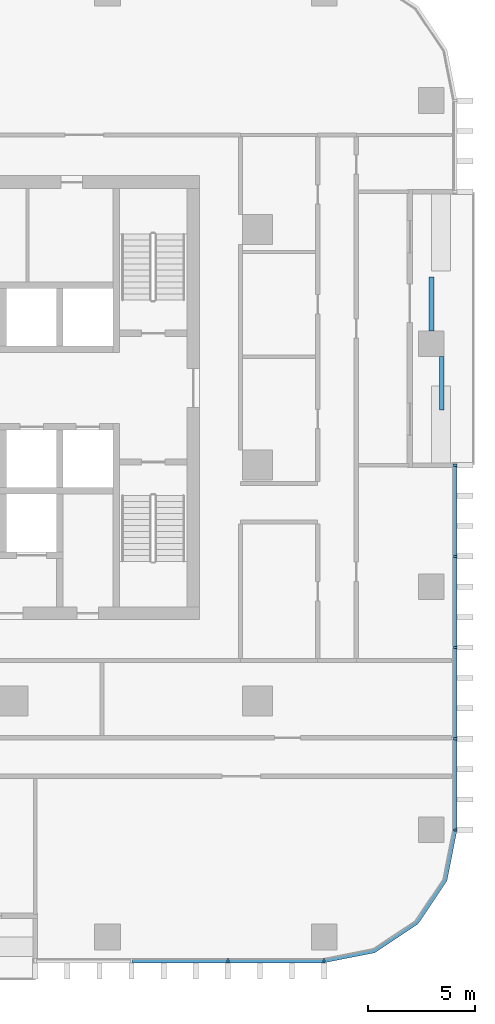
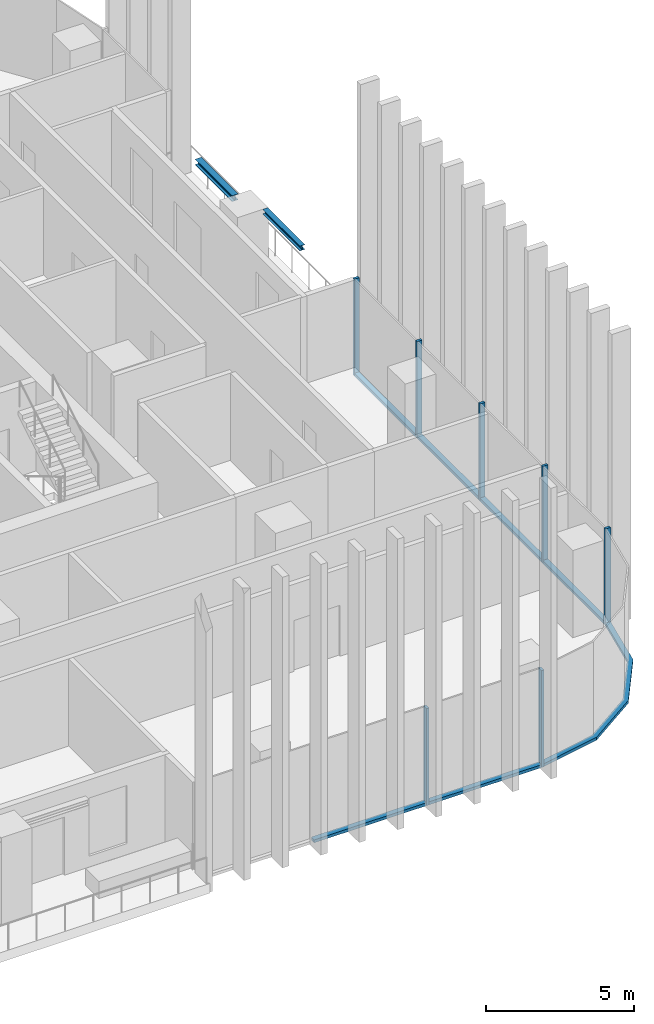
# One storey, part 3 of 15: 14 members, 2 beams, 3 elements without a shape of their own.
"""IFC4 building model written with IfcOpenShell, lengths in metres."""

from ifc_helpers import new_model, si_unit, direction, frame, origin, origin_2d, place, context, subcontext, project, spatial, polyline, rectangle, i_section, outline, extrude, material, material_profile, profile_set, type_object, element, aggregate, save


model = new_model("IFC4")

# Units and contexts
model_context = context("Model", 3, precision=1e-05, world=origin(), true_north=direction((0.0, 1.0)))
body_context = subcontext(model_context, "Body", "Model", "MODEL_VIEW")
ifc_project = project(units=[si_unit("LENGTHUNIT", "METRE"), si_unit("AREAUNIT", "SQUARE_METRE"), si_unit("VOLUMEUNIT", "CUBIC_METRE"), si_unit("PLANEANGLEUNIT", "RADIAN"), si_unit("MASSUNIT", "GRAM", prefix="KILO")], contexts=[model_context])

# Site, building, storey
site_placement = place(None, origin())
site = spatial("IfcSite", under=ifc_project, at=site_placement, CompositionType="ELEMENT")
building_placement = place(site_placement, origin())
building = spatial("IfcBuilding", under=site, at=building_placement, Name="Mopane Tessera Tower", CompositionType="ELEMENT")
storey_placement = place(building_placement, frame((0.0, 0.0, 169.0)))
storey = spatial("IfcBuildingStorey", under=building, at=storey_placement, Name="L34", CompositionType="ELEMENT", Elevation=169.0)

# Curtain wall, members
ifc_material_1 = material(Name="Aluminium frame", Category="aluminium")
curtain_wall_type = type_object("IfcCurtainWallType", Name="Unitised curtain wall", PredefinedType="NOTDEFINED", material=ifc_material_1)
curtain_wall_1_placement = place(storey_placement, origin())
curtain_wall_1 = element("IfcCurtainWall", 1, at=curtain_wall_1_placement, inside=storey, type_object=curtain_wall_type, Name="e:cw:L34:S:6", PredefinedType="NOTDEFINED")
ifc_material_2 = material(Name="Aluminium frame", Category="aluminium")
ifc_material_profile_1 = material_profile(ifc_material_2, rectangle(XDim=0.10009765625, YDim=0.199951171875, at=origin_2d()))
ifc_profile_set_1 = profile_set([ifc_material_profile_1], Name="Aluminium frame")
member_type_1 = type_object("IfcMemberType", Name="Aluminium mullion 100 x 200", PredefinedType="MULLION", material=ifc_profile_set_1)
member_1_placement = place(storey_placement, frame((15.711181640625, -23.10009765625, -0.39990234375), z_axis=(0.0, 0.0, 1.0), x_axis=(1.0, 0.0, 0.0)))
member_1 = element("IfcMember", 2, at=member_1_placement, type_object=member_type_1, Name="e:cw:L34:S:6:mu8", PredefinedType="MULLION", context=body_context, shape_type="SweptSolid", body=[
    extrude(rectangle(XDim=0.10009765625, YDim=0.199951171875, at=origin_2d()), origin(), (0.0, 0.0, 1.0), 4.0),
])
member_2_placement = place(storey_placement, frame((20.199951171875, -23.10009765625, -0.39990234375), z_axis=(0.0, 0.0, 1.0), x_axis=(1.0, 0.0, 0.0)))
member_2 = element("IfcMember", 3, at=member_2_placement, type_object=member_type_1, Name="e:cw:L34:S:6:mu9", PredefinedType="MULLION", context=body_context, shape_type="SweptSolid", body=[
    extrude(rectangle(XDim=0.10009765625, YDim=0.199951171875, at=origin_2d()), origin(), (0.0, 0.0, 1.0), 4.0),
])

curtain_wall_2_placement = place(storey_placement, origin())
curtain_wall_2 = element("IfcCurtainWall", 4, at=curtain_wall_2_placement, inside=storey, type_object=curtain_wall_type, Name="e:cw:L34:E:0", PredefinedType="NOTDEFINED")
member_3_placement = place(storey_placement, frame((26.300048828125, -17.0, -0.39990234375), z_axis=(0.0, 0.0, 1.0), x_axis=(0.0, 1.0, 0.0)))
member_3 = element("IfcMember", 5, at=member_3_placement, type_object=member_type_1, Name="e:cw:L34:E:0:mu0", PredefinedType="MULLION", context=body_context, shape_type="SweptSolid", body=[
    extrude(rectangle(XDim=0.10009765625, YDim=0.199951171875, at=origin_2d()), origin(), (0.0, 0.0, 1.0), 4.0),
])
member_4_placement = place(storey_placement, frame((26.300048828125, -12.75, -0.39990234375), z_axis=(0.0, 0.0, 1.0), x_axis=(0.0, 1.0, 0.0)))
member_4 = element("IfcMember", 6, at=member_4_placement, type_object=member_type_1, Name="e:cw:L34:E:0:mu1", PredefinedType="MULLION", context=body_context, shape_type="SweptSolid", body=[
    extrude(rectangle(XDim=0.10009765625, YDim=0.199951171875, at=origin_2d()), origin(), (0.0, 0.0, 1.0), 4.0),
])
member_5_placement = place(storey_placement, frame((26.300048828125, -8.5, -0.39990234375), z_axis=(0.0, 0.0, 1.0), x_axis=(0.0, 1.0, 0.0)))
member_5 = element("IfcMember", 7, at=member_5_placement, type_object=member_type_1, Name="e:cw:L34:E:0:mu2", PredefinedType="MULLION", context=body_context, shape_type="SweptSolid", body=[
    extrude(rectangle(XDim=0.10009765625, YDim=0.199951171875, at=origin_2d()), origin(), (0.0, 0.0, 1.0), 4.0),
])
member_6_placement = place(storey_placement, frame((26.300048828125, -4.25, -0.39990234375), z_axis=(0.0, 0.0, 1.0), x_axis=(0.0, 1.0, 0.0)))
member_6 = element("IfcMember", 8, at=member_6_placement, type_object=member_type_1, Name="e:cw:L34:E:0:mu3", PredefinedType="MULLION", context=body_context, shape_type="SweptSolid", body=[
    extrude(rectangle(XDim=0.10009765625, YDim=0.199951171875, at=origin_2d()), origin(), (0.0, 0.0, 1.0), 4.0),
])
member_7_placement = place(storey_placement, frame((26.300048828125, 0.0, -0.39990234375), z_axis=(0.0, 0.0, 1.0), x_axis=(0.0, 1.0, 0.0)))
member_7 = element("IfcMember", 9, at=member_7_placement, type_object=member_type_1, Name="e:cw:L34:E:0:mu4", PredefinedType="MULLION", context=body_context, shape_type="SweptSolid", body=[
    extrude(rectangle(XDim=0.10009765625, YDim=0.199951171875, at=origin_2d()), origin(), (0.0, 0.0, 1.0), 4.0),
])

# Member
ifc_material_3 = material(Name="Aluminium frame", Category="aluminium")
ifc_material_profile_2 = material_profile(ifc_material_3, rectangle(XDim=0.199951171875, YDim=0.1201171875, at=origin_2d()))
ifc_profile_set_2 = profile_set([ifc_material_profile_2], Name="Aluminium frame")
member_type_2 = type_object("IfcMemberType", Name="Aluminium transom 200 x 120", PredefinedType="USERDEFINED", material=ifc_profile_set_2)
member_8_placement = place(storey_placement, frame((11.272216796875, -23.10009765625, -0.340087890625), z_axis=(1.0, 0.0, 0.0), x_axis=(0.0, 1.0, 0.0)))
member_8 = element("IfcMember", 10, at=member_8_placement, type_object=member_type_2, Name="e:cw:L34:S:6:tr7", ObjectType="TRANSOM", PredefinedType="USERDEFINED", context=body_context, shape_type="SweptSolid", body=[
    extrude(rectangle(XDim=0.199951171875, YDim=0.1201171875, at=origin_2d()), origin(), (0.0, 0.0, 1.0), 4.388916015625),
])

member_9_placement = place(storey_placement, frame((15.76123046875, -23.10009765625, -0.340087890625), z_axis=(1.0, 0.0, 0.0), x_axis=(0.0, 1.0, 0.0)))
member_9 = element("IfcMember", 11, at=member_9_placement, type_object=member_type_2, Name="e:cw:L34:S:6:tr8", ObjectType="TRANSOM", PredefinedType="USERDEFINED", context=body_context, shape_type="SweptSolid", body=[
    extrude(rectangle(XDim=0.199951171875, YDim=0.1201171875, at=origin_2d()), origin(), (0.0, 0.0, 1.0), 4.388671875),
])

aggregate(curtain_wall_1, [member_1, member_2, member_8, member_9])

# Curtain wall, member
curtain_wall_3_placement = place(storey_placement, origin())
curtain_wall_3 = element("IfcCurtainWall", 12, at=curtain_wall_3_placement, inside=storey, type_object=curtain_wall_type, Name="e:cw:L34:CS", PredefinedType="NOTDEFINED")
member_10_placement = place(storey_placement, frame((0.0, 0.0, -0.39990234375)))
member_10 = element("IfcMember", 13, at=member_10_placement, type_object=member_type_2, Name="e:cw:L34:CS:tr", ObjectType="TRANSOM", PredefinedType="USERDEFINED", context=body_context, shape_type="SweptSolid", body=[
    extrude(outline(polyline([(20.199951171875, -23.0), (22.49609375, -22.543212890625), (24.442626953125, -21.24267578125), (25.7431640625, -19.296142578125), (26.199951171875, -17.0), (26.39990234375, -17.0), (25.927978515625, -19.37255859375), (24.583984375, -21.384033203125), (22.57275390625, -22.72802734375), (20.199951171875, -23.199951171875), (20.199951171875, -23.0)])), origin(), (0.0, 0.0, 1.0), 0.119873046875),
])
aggregate(curtain_wall_3, [member_10])

# Member
member_11_placement = place(storey_placement, frame((26.300048828125, -16.949951171875, -0.340087890625), z_axis=(0.0, 1.0, 0.0), x_axis=(-1.0, 0.0, 0.0)))
member_11 = element("IfcMember", 14, at=member_11_placement, type_object=member_type_2, Name="e:cw:L34:E:0:tr0", ObjectType="TRANSOM", PredefinedType="USERDEFINED", context=body_context, shape_type="SweptSolid", body=[
    extrude(rectangle(XDim=0.199951171875, YDim=0.1201171875, at=origin_2d()), origin(), (0.0, 0.0, 1.0), 4.14990234375),
])

member_12_placement = place(storey_placement, frame((26.300048828125, -12.699951171875, -0.340087890625), z_axis=(0.0, 1.0, 0.0), x_axis=(-1.0, 0.0, 0.0)))
member_12 = element("IfcMember", 15, at=member_12_placement, type_object=member_type_2, Name="e:cw:L34:E:0:tr1", ObjectType="TRANSOM", PredefinedType="USERDEFINED", context=body_context, shape_type="SweptSolid", body=[
    extrude(rectangle(XDim=0.199951171875, YDim=0.1201171875, at=origin_2d()), origin(), (0.0, 0.0, 1.0), 4.14990234375),
])

member_13_placement = place(storey_placement, frame((26.300048828125, -8.449951171875, -0.340087890625), z_axis=(0.0, 1.0, 0.0), x_axis=(-1.0, 0.0, 0.0)))
member_13 = element("IfcMember", 16, at=member_13_placement, type_object=member_type_2, Name="e:cw:L34:E:0:tr2", ObjectType="TRANSOM", PredefinedType="USERDEFINED", context=body_context, shape_type="SweptSolid", body=[
    extrude(rectangle(XDim=0.199951171875, YDim=0.1201171875, at=origin_2d()), origin(), (0.0, 0.0, 1.0), 4.14990234375),
])

member_14_placement = place(storey_placement, frame((26.300048828125, -4.199951171875, -0.340087890625), z_axis=(0.0, 1.0, 0.0), x_axis=(-1.0, 0.0, 0.0)))
member_14 = element("IfcMember", 17, at=member_14_placement, type_object=member_type_2, Name="e:cw:L34:E:0:tr3", ObjectType="TRANSOM", PredefinedType="USERDEFINED", context=body_context, shape_type="SweptSolid", body=[
    extrude(rectangle(XDim=0.199951171875, YDim=0.1201171875, at=origin_2d()), origin(), (0.0, 0.0, 1.0), 4.14990234375),
])

aggregate(curtain_wall_2, [member_3, member_4, member_5, member_6, member_7, member_11, member_12, member_13, member_14])

# Beams
ifc_material_4 = material(Name="Structural steel S460", Category="steel")
ifc_material_profile_3 = material_profile(ifc_material_4, i_section(OverallWidth=0.239990234375, OverallDepth=0.239990234375, WebThickness=0.010009765625, FlangeThickness=0.01708984375, FilletRadius=0.02099609375, at=origin_2d()))
ifc_profile_set_3 = profile_set([ifc_material_profile_3], Name="Structural steel S460")
beam_type_1 = type_object("IfcBeamType", Name="Terrace spandrel beam HE 240 B", PredefinedType="SPANDREL", material=ifc_profile_set_3)
beam_1_placement = place(storey_placement, frame((25.199951171875, 6.269775390625, 3.47998046875), z_axis=(0.0, 1.0, 0.0), x_axis=(-1.0, 0.0, 0.0)))
element("IfcBeam", 18, at=beam_1_placement, inside=storey, type_object=beam_type_1, Name="Terrace spandrel beam N3 L35", PredefinedType="SPANDREL", context=body_context, shape_type="SweptSolid", body=[
    extrude(i_section(OverallWidth=0.239990234375, OverallDepth=0.239990234375, WebThickness=0.010009765625, FlangeThickness=0.01708984375, FilletRadius=0.02099609375, at=origin_2d()), origin(), (0.0, 0.0, 1.0), 2.5),
])
ifc_material_5 = material(Name="Structural steel S460", Category="steel")
ifc_material_profile_4 = material_profile(ifc_material_5, i_section(OverallWidth=0.199951171875, OverallDepth=0.199951171875, WebThickness=0.009033203125, FlangeThickness=0.014892578125, FilletRadius=0.01806640625, at=origin_2d()))
ifc_profile_set_4 = profile_set([ifc_material_profile_4], Name="Structural steel S460")
beam_type_2 = type_object("IfcBeamType", Name="Terrace trimmer beam HE 200 B", PredefinedType="BEAM", material=ifc_profile_set_4)
beam_2_placement = place(storey_placement, frame((25.679931640625, 5.063720703125, 3.5), z_axis=(0.0, -1.0, 0.0), x_axis=(1.0, 0.0, 0.0)))
element("IfcBeam", 19, at=beam_2_placement, inside=storey, type_object=beam_type_2, Name="Terrace trimmer beam N3 L35", PredefinedType="BEAM", context=body_context, shape_type="SweptSolid", body=[
    extrude(i_section(OverallWidth=0.199951171875, OverallDepth=0.199951171875, WebThickness=0.009033203125, FlangeThickness=0.014892578125, FilletRadius=0.01806640625, at=origin_2d()), origin(), (0.0, 0.0, 1.0), 2.5),
])

save(model, "model.ifc")
